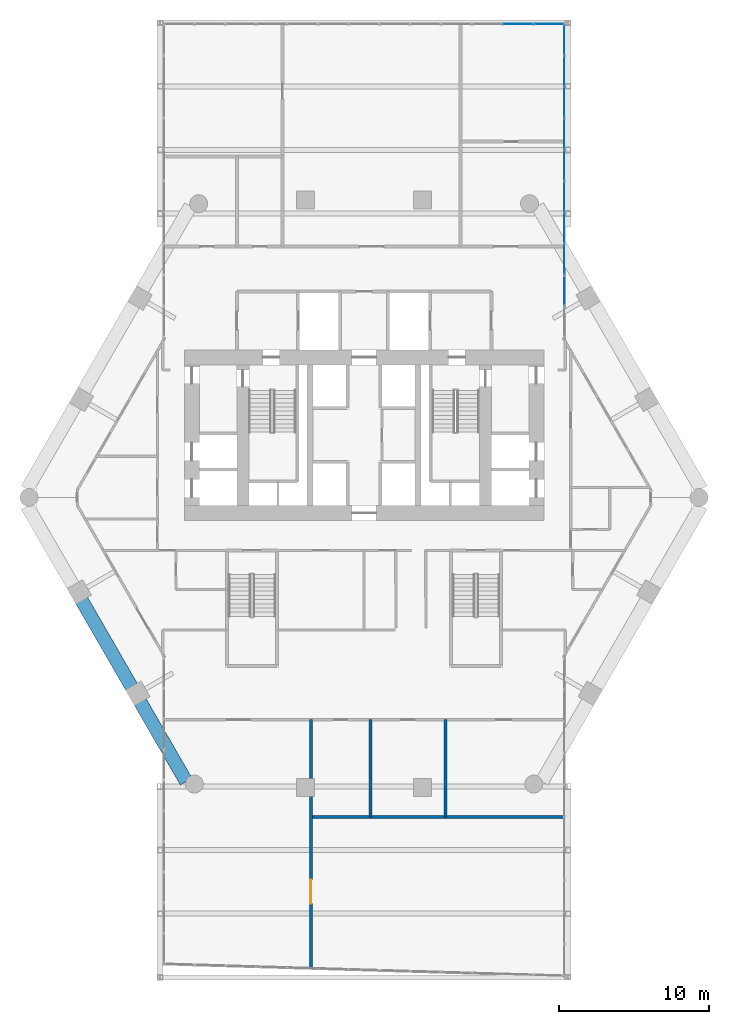
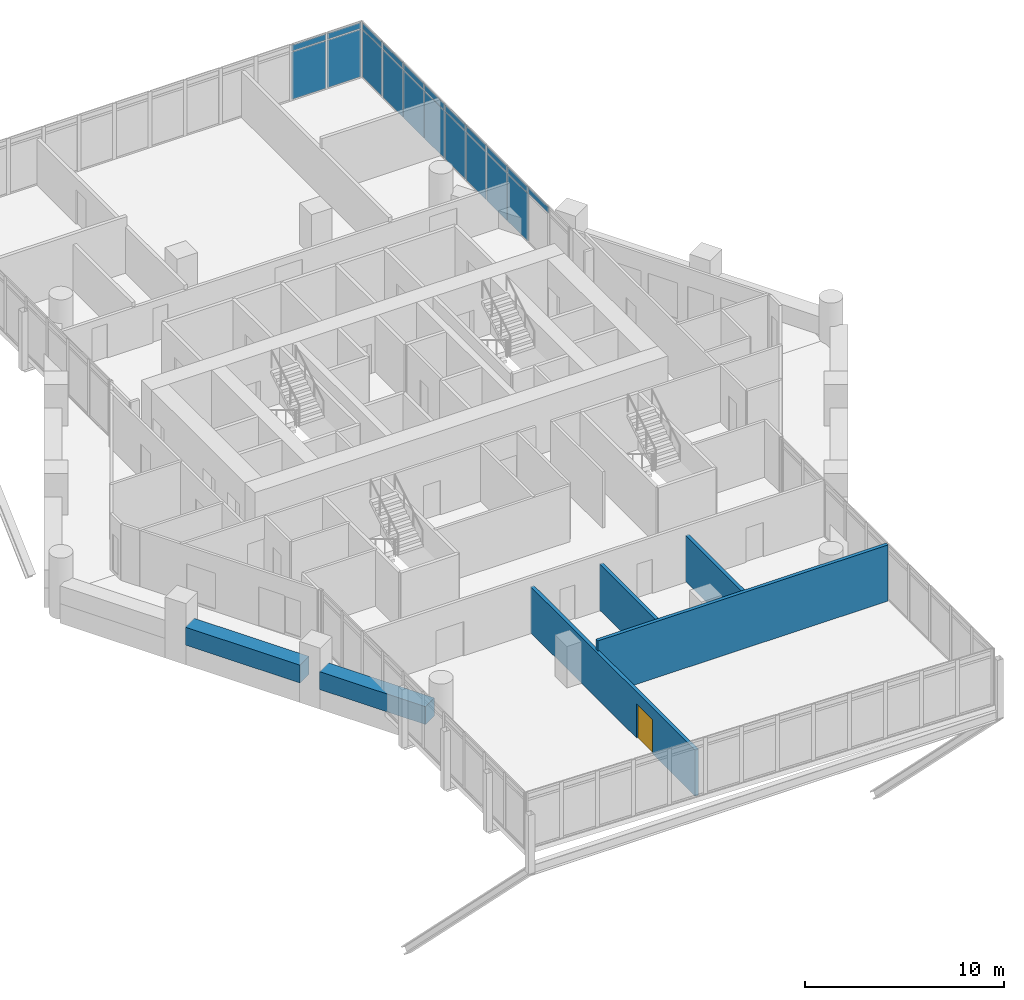
# One storey, part 29 of 37: 21 plates, 6 walls, 1 door, 1 opening, 2 elements without a shape of their own.
"""IFC4 building model written with IfcOpenShell, lengths in metres."""

from ifc_helpers import new_model, si_unit, direction, frame, frame_2d, origin, origin_2d, place, context, subcontext, project, spatial, rectangle, extrude, material, layer, layer_set, type_object, element, fill, aggregate, save


model = new_model("IFC4")

# Units and contexts
model_context = context("Model", 3, precision=1e-05, world=origin(), true_north=direction((0.0, 1.0)))
body_context = subcontext(model_context, "Body", "Model", "MODEL_VIEW")
ifc_project = project(units=[si_unit("LENGTHUNIT", "METRE"), si_unit("AREAUNIT", "SQUARE_METRE"), si_unit("VOLUMEUNIT", "CUBIC_METRE"), si_unit("PLANEANGLEUNIT", "RADIAN"), si_unit("MASSUNIT", "GRAM", prefix="KILO")], contexts=[model_context])

# Site, building, storey
site_placement = place(None, origin())
site = spatial("IfcSite", under=ifc_project, at=site_placement, CompositionType="ELEMENT")
building_placement = place(site_placement, origin())
building = spatial("IfcBuilding", under=site, at=building_placement, Name="Ostrander Bayou Hotel Tower", CompositionType="ELEMENT")
storey_placement = place(building_placement, frame((0.0, 0.0, 93.0)))
storey = spatial("IfcBuildingStorey", under=building, at=storey_placement, Name="L23", CompositionType="ELEMENT", Elevation=93.0)

# Curtain wall, plates
ifc_material_1 = material(Name="Aluminium and clear glass", Category="aluminium")
curtain_wall_type = type_object("IfcCurtainWallType", Name="CW-BAR glazed wall", PredefinedType="NOTDEFINED", material=ifc_material_1)
curtain_wall_1_placement = place(storey_placement, origin())
curtain_wall_1 = element("IfcCurtainWall", 1, at=curtain_wall_1_placement, inside=storey, type_object=curtain_wall_type, Name="CW-BAR L23:SB2N:T", PredefinedType="NOTDEFINED")
ifc_material_2 = material(Name="Clear laminated glass", Category="glass")
ifc_layer_1 = layer(ifc_material_2, 0.028076171875)
ifc_layer_set_1 = layer_set([ifc_layer_1], Name="CW-BR glazing panel 28 mm")
plate_type = type_object("IfcPlateType", Name="CW-BR glazing panel 28 mm", PredefinedType="CURTAIN_PANEL", material=ifc_layer_set_1)
plate_1_placement = place(storey_placement, frame((10.282470703125, 31.4453125, 0.06005859375), z_axis=(0.0, 0.0, 1.0), x_axis=(1.0, 0.0, 0.0)))
plate_1 = element("IfcPlate", 2, at=plate_1_placement, type_object=plate_type, Name="CW-BAR panel 12.1", PredefinedType="CURTAIN_PANEL", context=body_context, shape_type="SweptSolid", body=[
    extrude(rectangle(XDim=1.99658203125, YDim=0.028076171875, at=origin_2d()), origin(), (0.0, 0.0, 1.0), 2.909912109375),
])
plate_2_placement = place(storey_placement, frame((10.282470703125, 31.4453125, 3.02978515625), z_axis=(0.0, 0.0, 1.0), x_axis=(1.0, 0.0, 0.0)))
plate_2 = element("IfcPlate", 3, at=plate_2_placement, type_object=plate_type, Name="CW-BAR panel 12.2", PredefinedType="CURTAIN_PANEL", context=body_context, shape_type="SweptSolid", body=[
    extrude(rectangle(XDim=1.99658203125, YDim=0.028076171875, at=origin_2d()), origin(), (0.0, 0.0, 1.0), 0.360107421875),
])
plate_3_placement = place(storey_placement, frame((12.323974609375, 31.4453125, 0.06005859375), z_axis=(0.0, 0.0, 1.0), x_axis=(1.0, 0.0, 0.0)))
plate_3 = element("IfcPlate", 4, at=plate_3_placement, type_object=plate_type, Name="CW-BAR panel 13.1", PredefinedType="CURTAIN_PANEL", context=body_context, shape_type="SweptSolid", body=[
    extrude(rectangle(XDim=1.966552734375, YDim=0.028076171875, at=origin_2d()), origin(), (0.0, 0.0, 1.0), 2.909912109375),
])
plate_4_placement = place(storey_placement, frame((12.323974609375, 31.4453125, 3.02978515625), z_axis=(0.0, 0.0, 1.0), x_axis=(1.0, 0.0, 0.0)))
plate_4 = element("IfcPlate", 5, at=plate_4_placement, type_object=plate_type, Name="CW-BAR panel 13.2", PredefinedType="CURTAIN_PANEL", context=body_context, shape_type="SweptSolid", body=[
    extrude(rectangle(XDim=1.966552734375, YDim=0.028076171875, at=origin_2d()), origin(), (0.0, 0.0, 1.0), 0.360107421875),
])
aggregate(curtain_wall_1, [plate_1, plate_2, plate_3, plate_4])

curtain_wall_2_placement = place(storey_placement, origin())
curtain_wall_2 = element("IfcCurtainWall", 6, at=curtain_wall_2_placement, inside=storey, type_object=curtain_wall_type, Name="CW-BAR L23:SB2N:W", PredefinedType="NOTDEFINED")
plate_5_placement = place(storey_placement, frame((13.3671875, 13.65869140625, 3.02978515625), z_axis=(0.0, 0.0, 1.0), x_axis=(0.0, 1.0, 0.0)))
plate_5 = element("IfcPlate", 7, at=plate_5_placement, type_object=plate_type, Name="CW-BAR panel 2.2", PredefinedType="CURTAIN_PANEL", context=body_context, shape_type="SweptSolid", body=[
    extrude(rectangle(XDim=2.032470703125, YDim=0.028076171875, at=origin_2d()), origin(), (0.0, 0.0, 1.0), 0.360107421875),
])
plate_6_placement = place(storey_placement, frame((13.3671875, 15.75146484375, 0.06005859375), z_axis=(0.0, 0.0, 1.0), x_axis=(0.0, 1.0, 0.0)))
plate_6 = element("IfcPlate", 8, at=plate_6_placement, type_object=plate_type, Name="CW-BAR panel 3.1", PredefinedType="CURTAIN_PANEL", context=body_context, shape_type="SweptSolid", body=[
    extrude(rectangle(XDim=2.032470703125, YDim=0.028076171875, at=origin_2d()), origin(), (0.0, 0.0, 1.0), 2.909912109375),
])
plate_7_placement = place(storey_placement, frame((13.3671875, 15.75146484375, 3.02978515625), z_axis=(0.0, 0.0, 1.0), x_axis=(0.0, 1.0, 0.0)))
plate_7 = element("IfcPlate", 9, at=plate_7_placement, type_object=plate_type, Name="CW-BAR panel 3.2", PredefinedType="CURTAIN_PANEL", context=body_context, shape_type="SweptSolid", body=[
    extrude(rectangle(XDim=2.032470703125, YDim=0.028076171875, at=origin_2d()), origin(), (0.0, 0.0, 1.0), 0.360107421875),
])
plate_8_placement = place(storey_placement, frame((13.3671875, 17.843994140625, 0.06005859375), z_axis=(0.0, 0.0, 1.0), x_axis=(0.0, 1.0, 0.0)))
plate_8 = element("IfcPlate", 10, at=plate_8_placement, type_object=plate_type, Name="CW-BAR panel 4.1", PredefinedType="CURTAIN_PANEL", context=body_context, shape_type="SweptSolid", body=[
    extrude(rectangle(XDim=2.032470703125, YDim=0.028076171875, at=origin_2d()), origin(), (0.0, 0.0, 1.0), 2.909912109375),
])
plate_9_placement = place(storey_placement, frame((13.3671875, 17.843994140625, 3.02978515625), z_axis=(0.0, 0.0, 1.0), x_axis=(0.0, 1.0, 0.0)))
plate_9 = element("IfcPlate", 11, at=plate_9_placement, type_object=plate_type, Name="CW-BAR panel 4.2", PredefinedType="CURTAIN_PANEL", context=body_context, shape_type="SweptSolid", body=[
    extrude(rectangle(XDim=2.032470703125, YDim=0.028076171875, at=origin_2d()), origin(), (0.0, 0.0, 1.0), 0.360107421875),
])
plate_10_placement = place(storey_placement, frame((13.3671875, 19.9365234375, 0.06005859375), z_axis=(0.0, 0.0, 1.0), x_axis=(0.0, 1.0, 0.0)))
plate_10 = element("IfcPlate", 12, at=plate_10_placement, type_object=plate_type, Name="CW-BAR panel 5.1", PredefinedType="CURTAIN_PANEL", context=body_context, shape_type="SweptSolid", body=[
    extrude(rectangle(XDim=2.032470703125, YDim=0.028076171875, at=origin_2d()), origin(), (0.0, 0.0, 1.0), 2.909912109375),
])
plate_11_placement = place(storey_placement, frame((13.3671875, 19.9365234375, 3.02978515625), z_axis=(0.0, 0.0, 1.0), x_axis=(0.0, 1.0, 0.0)))
plate_11 = element("IfcPlate", 13, at=plate_11_placement, type_object=plate_type, Name="CW-BAR panel 5.2", PredefinedType="CURTAIN_PANEL", context=body_context, shape_type="SweptSolid", body=[
    extrude(rectangle(XDim=2.032470703125, YDim=0.028076171875, at=origin_2d()), origin(), (0.0, 0.0, 1.0), 0.360107421875),
])
plate_12_placement = place(storey_placement, frame((13.3671875, 22.029052734375, 0.06005859375), z_axis=(0.0, 0.0, 1.0), x_axis=(0.0, 1.0, 0.0)))
plate_12 = element("IfcPlate", 14, at=plate_12_placement, type_object=plate_type, Name="CW-BAR panel 6.1", PredefinedType="CURTAIN_PANEL", context=body_context, shape_type="SweptSolid", body=[
    extrude(rectangle(XDim=2.032470703125, YDim=0.028076171875, at=origin_2d()), origin(), (0.0, 0.0, 1.0), 2.909912109375),
])
plate_13_placement = place(storey_placement, frame((13.3671875, 22.029052734375, 3.02978515625), z_axis=(0.0, 0.0, 1.0), x_axis=(0.0, 1.0, 0.0)))
plate_13 = element("IfcPlate", 15, at=plate_13_placement, type_object=plate_type, Name="CW-BAR panel 6.2", PredefinedType="CURTAIN_PANEL", context=body_context, shape_type="SweptSolid", body=[
    extrude(rectangle(XDim=2.032470703125, YDim=0.028076171875, at=origin_2d()), origin(), (0.0, 0.0, 1.0), 0.360107421875),
])
plate_14_placement = place(storey_placement, frame((13.3671875, 24.12158203125, 0.06005859375), z_axis=(0.0, 0.0, 1.0), x_axis=(0.0, 1.0, 0.0)))
plate_14 = element("IfcPlate", 16, at=plate_14_placement, type_object=plate_type, Name="CW-BAR panel 7.1", PredefinedType="CURTAIN_PANEL", context=body_context, shape_type="SweptSolid", body=[
    extrude(rectangle(XDim=2.032470703125, YDim=0.028076171875, at=origin_2d()), origin(), (0.0, 0.0, 1.0), 2.909912109375),
])
plate_15_placement = place(storey_placement, frame((13.3671875, 24.12158203125, 3.02978515625), z_axis=(0.0, 0.0, 1.0), x_axis=(0.0, 1.0, 0.0)))
plate_15 = element("IfcPlate", 17, at=plate_15_placement, type_object=plate_type, Name="CW-BAR panel 7.2", PredefinedType="CURTAIN_PANEL", context=body_context, shape_type="SweptSolid", body=[
    extrude(rectangle(XDim=2.032470703125, YDim=0.028076171875, at=origin_2d()), origin(), (0.0, 0.0, 1.0), 0.360107421875),
])
plate_16_placement = place(storey_placement, frame((13.3671875, 26.214111328125, 0.06005859375), z_axis=(0.0, 0.0, 1.0), x_axis=(0.0, 1.0, 0.0)))
plate_16 = element("IfcPlate", 18, at=plate_16_placement, type_object=plate_type, Name="CW-BAR panel 8.1", PredefinedType="CURTAIN_PANEL", context=body_context, shape_type="SweptSolid", body=[
    extrude(rectangle(XDim=2.032470703125, YDim=0.028076171875, at=origin_2d()), origin(), (0.0, 0.0, 1.0), 2.909912109375),
])
plate_17_placement = place(storey_placement, frame((13.3671875, 26.214111328125, 3.02978515625), z_axis=(0.0, 0.0, 1.0), x_axis=(0.0, 1.0, 0.0)))
plate_17 = element("IfcPlate", 19, at=plate_17_placement, type_object=plate_type, Name="CW-BAR panel 8.2", PredefinedType="CURTAIN_PANEL", context=body_context, shape_type="SweptSolid", body=[
    extrude(rectangle(XDim=2.032470703125, YDim=0.028076171875, at=origin_2d()), origin(), (0.0, 0.0, 1.0), 0.360107421875),
])
plate_18_placement = place(storey_placement, frame((13.3671875, 28.306640625, 0.06005859375), z_axis=(0.0, 0.0, 1.0), x_axis=(0.0, 1.0, 0.0)))
plate_18 = element("IfcPlate", 20, at=plate_18_placement, type_object=plate_type, Name="CW-BAR panel 9.1", PredefinedType="CURTAIN_PANEL", context=body_context, shape_type="SweptSolid", body=[
    extrude(rectangle(XDim=2.032470703125, YDim=0.028076171875, at=origin_2d()), origin(), (0.0, 0.0, 1.0), 2.909912109375),
])
plate_19_placement = place(storey_placement, frame((13.3671875, 28.306640625, 3.02978515625), z_axis=(0.0, 0.0, 1.0), x_axis=(0.0, 1.0, 0.0)))
plate_19 = element("IfcPlate", 21, at=plate_19_placement, type_object=plate_type, Name="CW-BAR panel 9.2", PredefinedType="CURTAIN_PANEL", context=body_context, shape_type="SweptSolid", body=[
    extrude(rectangle(XDim=2.032470703125, YDim=0.028076171875, at=origin_2d()), origin(), (0.0, 0.0, 1.0), 0.360107421875),
])
plate_20_placement = place(storey_placement, frame((13.3671875, 30.384033203125, 0.06005859375), z_axis=(0.0, 0.0, 1.0), x_axis=(0.0, 1.0, 0.0)))
plate_20 = element("IfcPlate", 22, at=plate_20_placement, type_object=plate_type, Name="CW-BAR panel 10.1", PredefinedType="CURTAIN_PANEL", context=body_context, shape_type="SweptSolid", body=[
    extrude(rectangle(XDim=2.00244140625, YDim=0.028076171875, at=origin_2d()), origin(), (0.0, 0.0, 1.0), 2.909912109375),
])
plate_21_placement = place(storey_placement, frame((13.3671875, 30.384033203125, 3.02978515625), z_axis=(0.0, 0.0, 1.0), x_axis=(0.0, 1.0, 0.0)))
plate_21 = element("IfcPlate", 23, at=plate_21_placement, type_object=plate_type, Name="CW-BAR panel 10.2", PredefinedType="CURTAIN_PANEL", context=body_context, shape_type="SweptSolid", body=[
    extrude(rectangle(XDim=2.00244140625, YDim=0.028076171875, at=origin_2d()), origin(), (0.0, 0.0, 1.0), 0.360107421875),
])
aggregate(curtain_wall_2, [plate_5, plate_6, plate_7, plate_8, plate_9, plate_10, plate_11, plate_12, plate_13, plate_14, plate_15, plate_16, plate_17, plate_18, plate_19, plate_20, plate_21])

# Walls
ifc_material_3 = material(Name="Limestone masonry", Category="masonry")
ifc_layer_2 = layer(ifc_material_3, 0.89990234375)
ifc_layer_set_2 = layer_set([ifc_layer_2], Name="PA2 limestone parapet 900 mm")
wall_type_1 = type_object("IfcWallType", Name="PA2 limestone parapet 900 mm", PredefinedType="PARAPET", material=ifc_layer_set_2)
wall_1_placement = place(storey_placement, frame((-18.85888671875, -7.035400390625, 0.0), z_axis=(0.0, 0.0, 1.0), x_axis=(0.499999023957, -0.866025967302, 0.0)))
element("IfcWall", 24, at=wall_1_placement, inside=storey, type_object=wall_type_1, Name="PA2 L23 SW-2", PredefinedType="PARAPET", context=body_context, shape_type="SweptSolid", body=[
    extrude(rectangle(XDim=6.67333984375, YDim=0.89990234375, at=frame_2d((3.336669921875, 0.0))), origin(), (0.0, 0.0, 1.0), 1.10009765625),
])
wall_2_placement = place(storey_placement, frame((-14.9521484375, -13.802001953125, 0.0), z_axis=(0.0, 0.0, 1.0), x_axis=(0.499976998774, -0.866038683141, 0.0)))
element("IfcWall", 25, at=wall_2_placement, inside=storey, type_object=wall_type_1, Name="PA2 L23 SW-3", PredefinedType="PARAPET", context=body_context, shape_type="SweptSolid", body=[
    extrude(rectangle(XDim=6.143798828125, YDim=0.89990234375, at=frame_2d((3.07177734375, 0.0))), origin(), (0.0, 0.0, 1.0), 1.10009765625),
])
ifc_material_4 = material(Name="Gypsum board partition", Category="finish")
ifc_layer_3 = layer(ifc_material_4, 0.199951171875)
ifc_layer_set_3 = layer_set([ifc_layer_3], Name="PT3 demising wall 200 mm acoustic double stud, 1 hour")
wall_type_2 = type_object("IfcWallType", Name="PT3 demising wall 200 mm acoustic double stud, 1 hour", PredefinedType="PARTITIONING", material=ifc_layer_set_3)
wall_3_placement = place(storey_placement, frame((-3.557861328125, -21.5, 0.0), z_axis=(0.0, 0.0, 1.0), x_axis=(1.0, 0.0, 0.0)))
element("IfcWall", 26, at=wall_3_placement, inside=storey, type_object=wall_type_2, Name="sw:L23:502", PredefinedType="PARTITIONING", context=body_context, shape_type="SweptSolid", body=[
    extrude(rectangle(XDim=16.8701171875, YDim=0.199951171875, at=frame_2d((8.43505859375, 0.0))), origin(), (0.0, 0.0, 1.0), 3.449951171875),
])

# Wall, opening, door
wall_4_placement = place(storey_placement, frame((-3.55810546875, -31.5751953125, 0.0), z_axis=(0.0, 0.0, 1.0), x_axis=(0.0, 1.0, 0.0)))
wall_4 = element("IfcWall", 27, at=wall_4_placement, inside=storey, type_object=wall_type_2, Name="sw:L23:507", PredefinedType="PARTITIONING", context=body_context, shape_type="SweptSolid", body=[
    extrude(rectangle(XDim=16.5751953125, YDim=0.199951171875, at=frame_2d((8.28759765625, 0.0))), origin(), (0.0, 0.0, 1.0), 2.828125),
])
opening_placement = place(wall_4_placement, frame((4.293212890625, 0.0, 0.0)))
opening = element("IfcOpeningElement", 28, at=opening_placement, cuts=wall_4, Name="Opening T23-1204", PredefinedType="OPENING", context=body_context, shape_type="SweptSolid", body=[
    extrude(rectangle(XDim=1.60009765625, YDim=2.10009765625, at=frame_2d((0.800048828125, 1.050048828125))), frame((0.0, 0.10009765625, 0.0), z_axis=(0.0, -1.0, 0.0), x_axis=(1.0, 0.0, 0.0)), (0.0, 0.0, 1.0), 0.199951171875),
])
ifc_material_5 = material(Name="Timber door leaf", Category="wood")
door_type = type_object("IfcDoorType", Name="D13 double door 1600 x 2100 mm, 1 hour", OperationType="SINGLE_SWING_LEFT", PredefinedType="DOOR", material=ifc_material_5)
door_placement = place(opening_placement, origin())
door = element("IfcDoor", 29, at=door_placement, inside=storey, type_object=door_type, Name="dr:L23:1204", OperationType="DOUBLE_DOOR_SINGLE_SWING", OverallHeight=2.10009765625, OverallWidth=1.60009765625, PredefinedType="DOOR", context=body_context, shape_type="SweptSolid", body=[
    extrude(rectangle(XDim=1.60009765625, YDim=2.10009765625, at=frame_2d((0.800048828125, 1.050048828125))), frame((0.0, 0.02490234375, 0.0), z_axis=(0.0, -1.0, 0.0), x_axis=(1.0, 0.0, 0.0)), (0.0, 0.0, 1.0), 0.050048828125),
])
fill(opening, door)

# Walls
for number, where, z_axis, x_axis, name in (
    (30, (0.44189453125, -21.5, 0.0), (0.0, 0.0, 1.0), (0.0, 1.0, 0.0), "sw:L23:508"),
    (31, (5.44189453125, -21.5, 0.0), (0.0, 0.0, 1.0), (0.0, 1.0, 0.0), "sw:L23:509"),
):
    element("IfcWall", number, at=place(storey_placement, frame(where, z_axis=z_axis, x_axis=x_axis)), inside=storey, type_object=wall_type_2, Name=name, PredefinedType="PARTITIONING", context=body_context, shape_type="SweptSolid", body=[
        extrude(rectangle(XDim=6.5, YDim=0.199951171875, at=frame_2d((3.25, 0.0))), origin(), (0.0, 0.0, 1.0), 2.828125),
    ])

save(model, "model.ifc")
